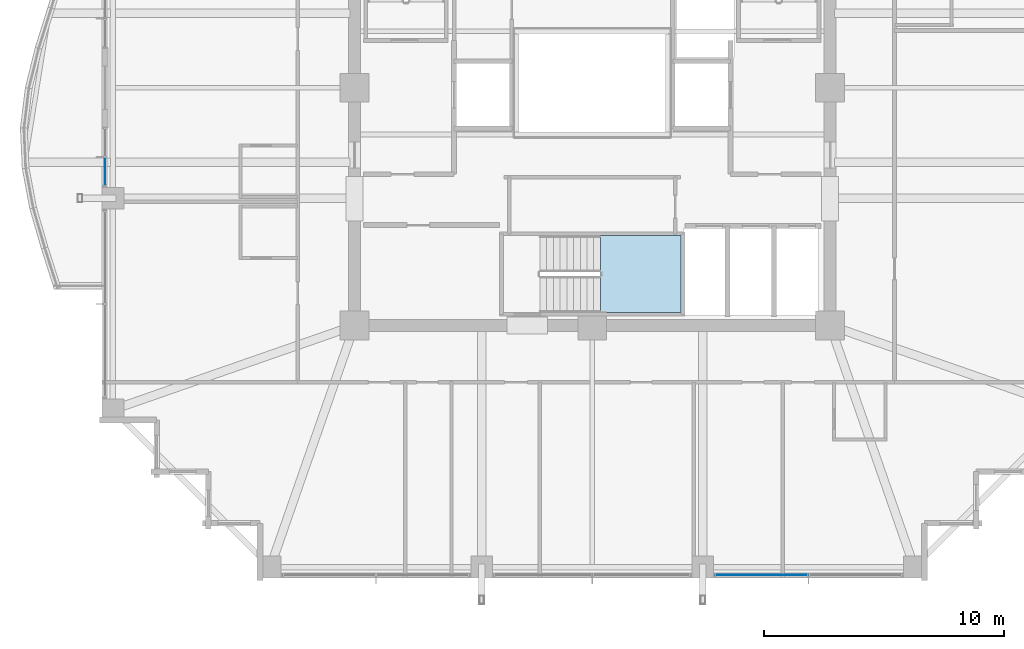
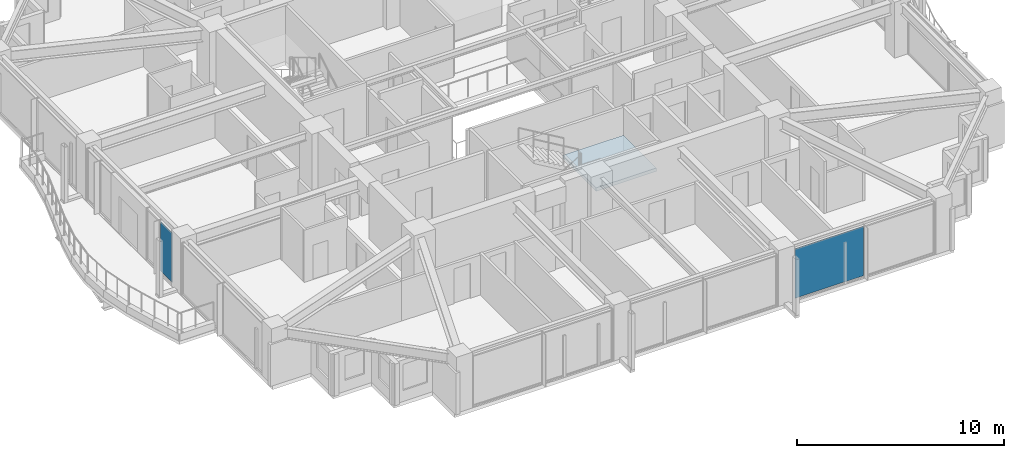
# One storey, part 23 of 35: 2 plates, 1 slab, 3 elements without a shape of their own.
"""IFC4 building model written with IfcOpenShell, lengths in metres."""

from ifc_helpers import new_model, si_unit, direction, frame, origin, origin_2d, place, context, subcontext, project, spatial, polyline, rectangle, outline, extrude, material, layer, layer_set, type_object, element, aggregate, save


model = new_model("IFC4")

# Units and contexts
model_context = context("Model", 3, precision=1e-05, world=origin(), true_north=direction((0.0, 1.0)))
body_context = subcontext(model_context, "Body", "Model", "MODEL_VIEW")
ifc_project = project(units=[si_unit("LENGTHUNIT", "METRE"), si_unit("AREAUNIT", "SQUARE_METRE"), si_unit("VOLUMEUNIT", "CUBIC_METRE"), si_unit("PLANEANGLEUNIT", "RADIAN"), si_unit("MASSUNIT", "GRAM", prefix="KILO")], contexts=[model_context])

# Site, building, storey
site_placement = place(None, origin())
site = spatial("IfcSite", under=ifc_project, at=site_placement, CompositionType="ELEMENT")
building_placement = place(site_placement, origin())
building = spatial("IfcBuilding", under=site, at=building_placement, Name="Kolvaren Belvedere", CompositionType="ELEMENT")
storey_placement = place(building_placement, frame((0.0, 0.0, 176.699951171875)))
storey = spatial("IfcBuildingStorey", under=building, at=storey_placement, Name="L51", CompositionType="ELEMENT", Elevation=176.699951171875)

# Curtain wall, plate
ifc_material_1 = material(Name="Anodised pale-metal aluminium AA 6063-T6", Category="aluminium")
curtain_wall_type = type_object("IfcCurtainWallType", Name="CW-Z5-HIGH", PredefinedType="NOTDEFINED", material=ifc_material_1)
curtain_wall_1_placement = place(storey_placement, origin())
curtain_wall_1 = element("IfcCurtainWall", 1, at=curtain_wall_1_placement, inside=storey, type_object=curtain_wall_type, Name="L51 Unitised Curtain Wall FCW-L51-S-B1", PredefinedType="NOTDEFINED")
ifc_material_2 = material(Name="Low-iron triple insulated glass", Category="glass")
ifc_layer_1 = layer(ifc_material_2, 0.028076171875)
ifc_layer_set_1 = layer_set([ifc_layer_1], Name="Low-iron triple insulated glass")
plate_type = type_object("IfcPlateType", Name="CW-PNL-VIS28", PredefinedType="CURTAIN_PANEL", material=ifc_layer_set_1)
plate_1_placement = place(storey_placement, frame((7.052490234375, -20.280029296875, 0.080078125), z_axis=(0.0, 0.0, 1.0), x_axis=(-1.0, 0.0, 0.0)))
plate_1 = element("IfcPlate", 2, at=plate_1_placement, type_object=plate_type, Name="FCW-L51-S-B1 Vision Glazing Panel 2", PredefinedType="CURTAIN_PANEL", context=body_context, shape_type="SweptSolid", body=[
    extrude(rectangle(XDim=3.81494140625, YDim=0.028076171875, at=origin_2d()), origin(), (0.0, 0.0, 1.0), 2.919921875),
])
aggregate(curtain_wall_1, [plate_1])

curtain_wall_2_placement = place(storey_placement, origin())
curtain_wall_2 = element("IfcCurtainWall", 3, at=curtain_wall_2_placement, inside=storey, type_object=curtain_wall_type, Name="L51 Unitised Curtain Wall FCW-L51-W1-B2", PredefinedType="NOTDEFINED")
plate_2_placement = place(storey_placement, frame((-20.280029296875, -3.4912109375, 0.080078125), z_axis=(0.0, 0.0, 1.0), x_axis=(0.0, 1.0, 0.0)))
plate_2 = element("IfcPlate", 4, at=plate_2_placement, type_object=plate_type, Name="FCW-L51-W1-B2 Vision Glazing Panel 1", PredefinedType="CURTAIN_PANEL", context=body_context, shape_type="SweptSolid", body=[
    extrude(rectangle(XDim=1.12744140625, YDim=0.028076171875, at=origin_2d()), origin(), (0.0, 0.0, 1.0), 2.919921875),
])
aggregate(curtain_wall_2, [plate_2])

# Stair, slab
ifc_material_3 = material(Name="Concrete C50/60", Category="concrete")
stair_type = type_object("IfcStairType", Name="ST-CORE-1520", PredefinedType="HALF_TURN_STAIR", material=ifc_material_3)
stair_placement = place(storey_placement, origin())
stair = element("IfcStair", 5, at=stair_placement, inside=storey, type_object=stair_type, Name="L51 Protected Exit Stair ST-3", PredefinedType="HALF_TURN_STAIR")
ifc_material_4 = material(Name="Concrete C50/60", Category="concrete")
ifc_layer_2 = layer(ifc_material_4, 0.260009765625)
ifc_layer_set_2 = layer_set([ifc_layer_2], Name="Concrete C50/60")
slab_type = type_object("IfcSlabType", Name="SL-LAND-260", PredefinedType="LANDING", material=ifc_layer_set_2)
slab_placement = place(storey_placement, frame((0.0, 0.0, 1.449951171875)))
slab = element("IfcSlab", 6, at=slab_placement, type_object=slab_type, Name="ST-3 landing 1", PredefinedType="LANDING", context=body_context, shape_type="SweptSolid", body=[
    extrude(outline(polyline([(0.340087890625, -9.35009765625), (3.699951171875, -9.35009765625), (3.699951171875, -6.159912109375), (0.340087890625, -6.159912109375), (0.340087890625, -9.35009765625)])), origin(), (0.0, 0.0, 1.0), 0.2001953125),
])
aggregate(stair, [slab])

save(model, "model.ifc")
